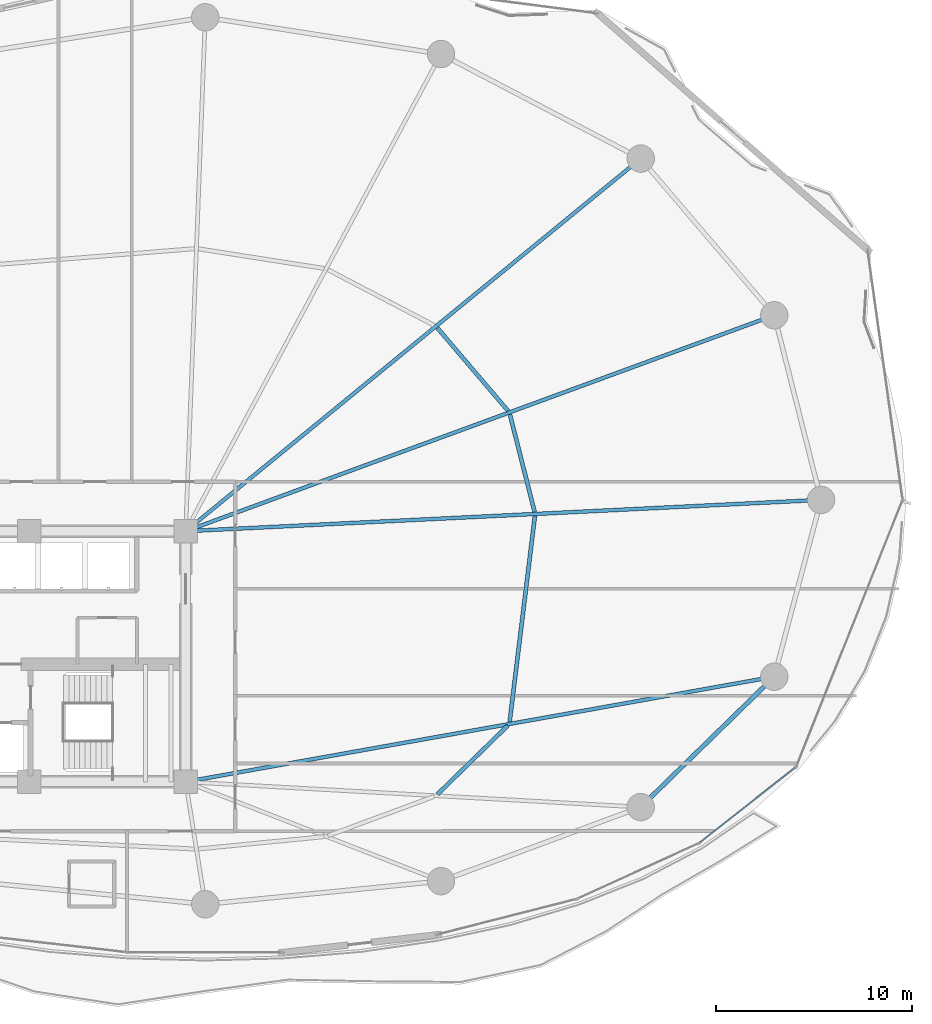
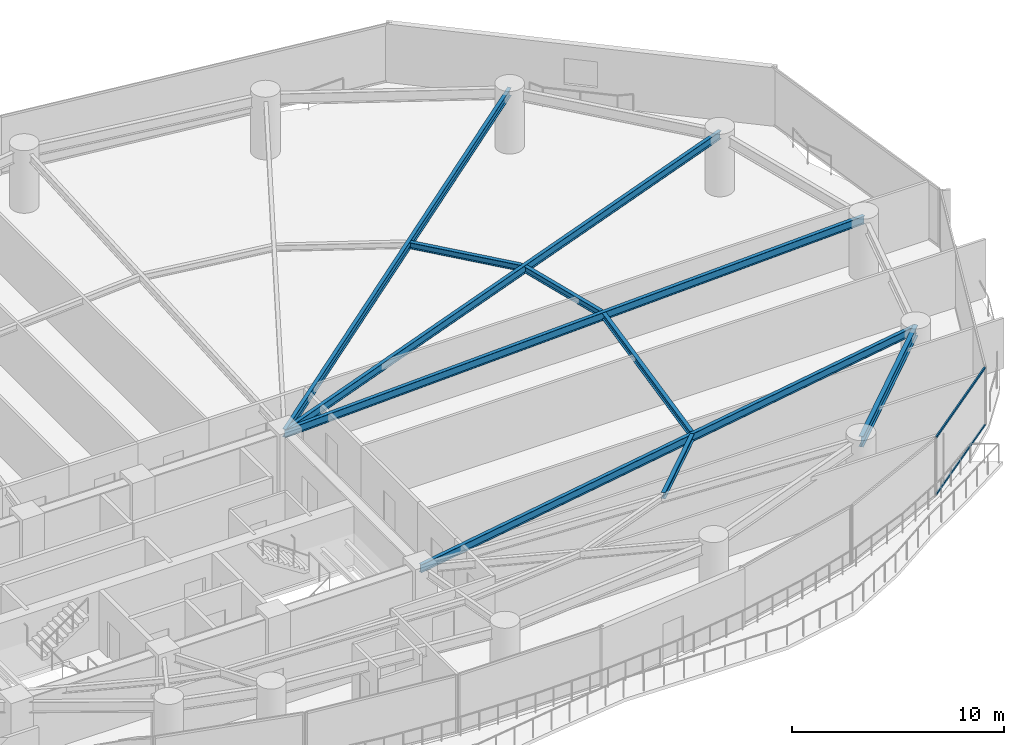
# One storey, part 14 of 31: 9 beams, 2 members, 1 element without a shape of its own.
"""IFC4 building model written with IfcOpenShell, lengths in metres."""

from ifc_helpers import new_model, si_unit, direction, frame, origin, origin_2d, place, context, subcontext, project, spatial, hollow_rectangle, i_section, extrude, material, layer, layer_set, material_profile, profile_set, type_object, element, aggregate, save


model = new_model("IFC4")

# Units and contexts
model_context = context("Model", 3, precision=1e-05, world=origin(), true_north=direction((0.0, 1.0)))
body_context = subcontext(model_context, "Body", "Model", "MODEL_VIEW")
ifc_project = project(units=[si_unit("LENGTHUNIT", "METRE"), si_unit("AREAUNIT", "SQUARE_METRE"), si_unit("VOLUMEUNIT", "CUBIC_METRE"), si_unit("PLANEANGLEUNIT", "RADIAN"), si_unit("MASSUNIT", "GRAM", prefix="KILO")], contexts=[model_context])

# Site, building, storey
site_placement = place(None, origin())
site = spatial("IfcSite", under=ifc_project, at=site_placement, CompositionType="ELEMENT")
building_placement = place(site_placement, origin())
building = spatial("IfcBuilding", under=site, at=building_placement, Name="Kazevale Care Tower and Concert Hall", CompositionType="ELEMENT")
storey_placement = place(building_placement, frame((0.0, 0.0, 60.0)))
storey = spatial("IfcBuildingStorey", under=building, at=storey_placement, Name="L15", CompositionType="ELEMENT", Elevation=60.0)

# Curtain wall, members
ifc_material_1 = material(Name="Aluminium 6063-T6 and Low-E Glass", Category="aluminium")
ifc_layer = layer(ifc_material_1, 0.179931640625)
ifc_layer_set = layer_set([ifc_layer], Name="Aluminium 6063-T6 and Low-E Glass")
curtain_wall_type = type_object("IfcCurtainWallType", Name="Sheltered Concave Balcony Curtain Wall CW-5", PredefinedType="NOTDEFINED", material=ifc_layer_set)
curtain_wall_placement = place(storey_placement, origin())
curtain_wall = element("IfcCurtainWall", 1, at=curtain_wall_placement, inside=storey, type_object=curtain_wall_type, Name="cw:L15:f02", PredefinedType="NOTDEFINED")
ifc_material_2 = material(Name="Aluminium 6063-T6", Category="aluminium")
ifc_material_profile_1 = material_profile(ifc_material_2, hollow_rectangle(XDim=0.074951171875, YDim=0.1201171875, WallThickness=0.00390625, at=origin_2d()), Name="ALU75x120x4")
ifc_profile_set_1 = profile_set([ifc_material_profile_1], Name="Aluminium 6063-T6")
member_type = type_object("IfcMemberType", Name="CW-5 Transom ALU75x120x4", PredefinedType="USERDEFINED", material=ifc_profile_set_1)
member_1_placement = place(storey_placement, frame((75.123046875, 24.317626953125, 0.03759765625), z_axis=(-0.78633897536, -0.617795286344, 0.0), x_axis=(0.617795286344, -0.78633897536, 0.0)))
member_1 = element("IfcMember", 2, at=member_1_placement, type_object=member_type, Name="CW-5 transom 1.1", ObjectType="TRANSOM", PredefinedType="USERDEFINED", context=body_context, shape_type="SweptSolid", body=[
    extrude(hollow_rectangle(XDim=0.074951171875, YDim=0.1201171875, WallThickness=0.00390625, at=origin_2d()), origin(), (0.0, 0.0, 1.0), 6.15771484375),
])
member_2_placement = place(storey_placement, frame((75.123046875, 24.317626953125, 3.322509765625), z_axis=(-0.78633897536, -0.617795286344, 0.0), x_axis=(0.617795286344, -0.78633897536, 0.0)))
member_2 = element("IfcMember", 3, at=member_2_placement, type_object=member_type, Name="CW-5 transom 1.2", ObjectType="TRANSOM", PredefinedType="USERDEFINED", context=body_context, shape_type="SweptSolid", body=[
    extrude(hollow_rectangle(XDim=0.074951171875, YDim=0.1201171875, WallThickness=0.00390625, at=origin_2d()), origin(), (0.0, 0.0, 1.0), 6.15771484375),
])
aggregate(curtain_wall, [member_1, member_2])

# Beams
ifc_material_3 = material(Name="Steel ASTM A572 Gr 50", Category="steel")
ifc_material_profile_2 = material_profile(ifc_material_3, i_section(OverallWidth=0.19091796875, OverallDepth=0.4599609375, WebThickness=0.010009765625, FlangeThickness=0.01611328125, at=origin_2d()), Name="W460x82")
ifc_profile_set_2 = profile_set([ifc_material_profile_2], Name="Steel ASTM A572 Gr 50")
beam_type_1 = type_object("IfcBeamType", Name="Radial Floor Beam W460x82", PredefinedType="BEAM", material=ifc_profile_set_2)
beam_1_placement = place(storey_placement, frame((44.0, 36.39990234375, 3.1298828125), z_axis=(0.998786488782, 0.049249871327, 0.0), x_axis=(-0.049249871327, 0.998786488782, 0.0)))
element("IfcBeam", 4, at=beam_1_placement, inside=storey, type_object=beam_type_1, Name="beam:L15:rad:01", PredefinedType="BEAM", context=body_context, shape_type="SweptSolid", body=[
    extrude(i_section(OverallWidth=0.19091796875, OverallDepth=0.4599609375, WebThickness=0.010009765625, FlangeThickness=0.01611328125, at=origin_2d()), origin(), (0.0, 0.0, 1.0), 32.4892578125),
])
beam_2_placement = place(storey_placement, frame((44.0, 36.39990234375, 3.1298828125), z_axis=(0.938795458019, 0.34447509054, 0.0), x_axis=(-0.34447509054, 0.938795458019, 0.0)))
element("IfcBeam", 5, at=beam_2_placement, inside=storey, type_object=beam_type_1, Name="beam:L15:rad:02", PredefinedType="BEAM", context=body_context, shape_type="SweptSolid", body=[
    extrude(i_section(OverallWidth=0.19091796875, OverallDepth=0.4599609375, WebThickness=0.010009765625, FlangeThickness=0.01611328125, at=origin_2d()), origin(), (0.0, 0.0, 1.0), 32.019775390625),
])
beam_3_placement = place(storey_placement, frame((44.0, 36.39990234375, 3.1298828125), z_axis=(0.773704467398, 0.633546681097, 0.0), x_axis=(-0.633546681097, 0.773704467398, 0.0)))
element("IfcBeam", 6, at=beam_3_placement, inside=storey, type_object=beam_type_1, Name="beam:L15:rad:03", PredefinedType="BEAM", context=body_context, shape_type="SweptSolid", body=[
    extrude(i_section(OverallWidth=0.19091796875, OverallDepth=0.4599609375, WebThickness=0.010009765625, FlangeThickness=0.01611328125, at=origin_2d()), origin(), (0.0, 0.0, 1.0), 30.037353515625),
])
beam_4_placement = place(storey_placement, frame((44.0, 23.60009765625, 3.1298828125), z_axis=(0.984416208219, 0.175854283415, 0.0), x_axis=(-0.175854283415, 0.984416208219, 0.0)))
element("IfcBeam", 7, at=beam_4_placement, inside=storey, type_object=beam_type_1, Name="beam:L15:rad:16", PredefinedType="BEAM", context=body_context, shape_type="SweptSolid", body=[
    extrude(i_section(OverallWidth=0.19091796875, OverallDepth=0.4599609375, WebThickness=0.010009765625, FlangeThickness=0.01611328125, at=origin_2d()), origin(), (0.0, 0.0, 1.0), 30.535888671875),
])
ifc_material_profile_3 = material_profile(ifc_material_3, i_section(OverallWidth=0.22900390625, OverallDepth=0.612060546875, WebThickness=0.011962890625, FlangeThickness=0.01953125, at=origin_2d()), Name="W610x125")
ifc_profile_set_3 = profile_set([ifc_material_profile_3], Name="Steel ASTM A572 Gr 50")
beam_type_2 = type_object("IfcBeamType", Name="Ring Spandrel Beam W610x125", PredefinedType="SPANDREL", material=ifc_profile_set_3)
beam_5_placement = place(storey_placement, frame((67.239990234375, 22.31005859375, 3.053955078125), z_axis=(0.715457453508, 0.698656304788, 0.0), x_axis=(-0.698656304788, 0.715457453508, 0.0)))
element("IfcBeam", 8, at=beam_5_placement, inside=storey, type_object=beam_type_2, Name="beam:L15:ring:15", PredefinedType="SPANDREL", context=body_context, shape_type="SweptSolid", body=[
    extrude(i_section(OverallWidth=0.22900390625, OverallDepth=0.612060546875, WebThickness=0.011962890625, FlangeThickness=0.01953125, at=origin_2d()), origin(), (0.0, 0.0, 1.0), 9.532470703125),
])
ifc_material_profile_4 = material_profile(ifc_material_3, i_section(OverallWidth=0.205078125, OverallDepth=0.35400390625, WebThickness=0.009521484375, FlangeThickness=0.016845703125, at=origin_2d()), Name="W360x79")
ifc_profile_set_4 = profile_set([ifc_material_profile_4], Name="Steel ASTM A572 Gr 50")
beam_type_3 = type_object("IfcBeamType", Name="Secondary Floor Joist W360x79", PredefinedType="JOIST", material=ifc_profile_set_4)
beam_6_placement = place(storey_placement, frame((61.822021484375, 37.382080078125, 3.18310546875), z_axis=(-0.24568570229, 0.969349542575, 0.0), x_axis=(-0.969349542575, -0.24568570229, 0.0)))
element("IfcBeam", 9, at=beam_6_placement, inside=storey, type_object=beam_type_3, Name="beam:L15:joist:01", PredefinedType="JOIST", context=body_context, shape_type="SweptSolid", body=[
    extrude(i_section(OverallWidth=0.205078125, OverallDepth=0.35400390625, WebThickness=0.009521484375, FlangeThickness=0.016845703125, at=origin_2d()), origin(), (0.0, 0.0, 1.0), 5.140380859375),
])
beam_7_placement = place(storey_placement, frame((60.465087890625, 42.5458984375, 3.18310546875), z_axis=(-0.648685510477, 0.761056573783, 0.0), x_axis=(-0.761056573783, -0.648685510477, 0.0)))
element("IfcBeam", 10, at=beam_7_placement, inside=storey, type_object=beam_type_3, Name="beam:L15:joist:02", PredefinedType="JOIST", context=body_context, shape_type="SweptSolid", body=[
    extrude(i_section(OverallWidth=0.205078125, OverallDepth=0.35400390625, WebThickness=0.009521484375, FlangeThickness=0.016845703125, at=origin_2d()), origin(), (0.0, 0.0, 1.0), 5.57275390625),
])
beam_8_placement = place(storey_placement, frame((56.85693359375, 22.964111328125, 3.18310546875), z_axis=(0.715521089339, 0.698591132717, 0.0), x_axis=(-0.698591132717, 0.715521089339, 0.0)))
element("IfcBeam", 11, at=beam_8_placement, inside=storey, type_object=beam_type_3, Name="beam:L15:joist:15", PredefinedType="JOIST", context=body_context, shape_type="SweptSolid", body=[
    extrude(i_section(OverallWidth=0.205078125, OverallDepth=0.35400390625, WebThickness=0.009521484375, FlangeThickness=0.016845703125, at=origin_2d()), origin(), (0.0, 0.0, 1.0), 5.03271484375),
])
beam_9_placement = place(storey_placement, frame((60.5458984375, 26.657958984375, 3.18310546875), z_axis=(0.1216468088, 0.992573450133, 0.0), x_axis=(-0.992573450133, 0.1216468088, 0.0)))
element("IfcBeam", 12, at=beam_9_placement, inside=storey, type_object=beam_type_3, Name="beam:L15:joist:16", PredefinedType="JOIST", context=body_context, shape_type="SweptSolid", body=[
    extrude(i_section(OverallWidth=0.205078125, OverallDepth=0.35400390625, WebThickness=0.009521484375, FlangeThickness=0.016845703125, at=origin_2d()), origin(), (0.0, 0.0, 1.0), 10.5966796875),
])

save(model, "model.ifc")
